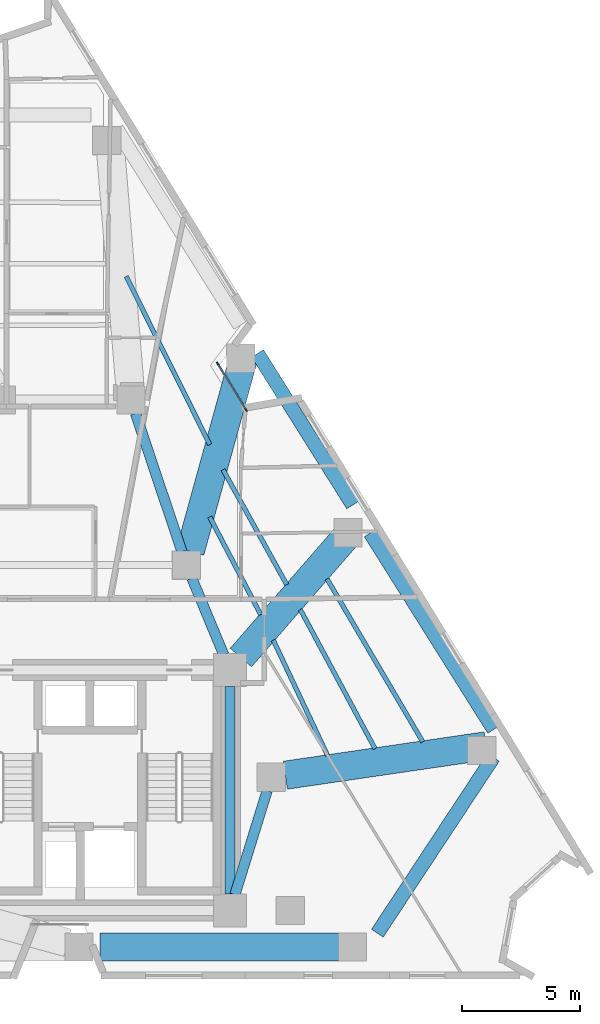
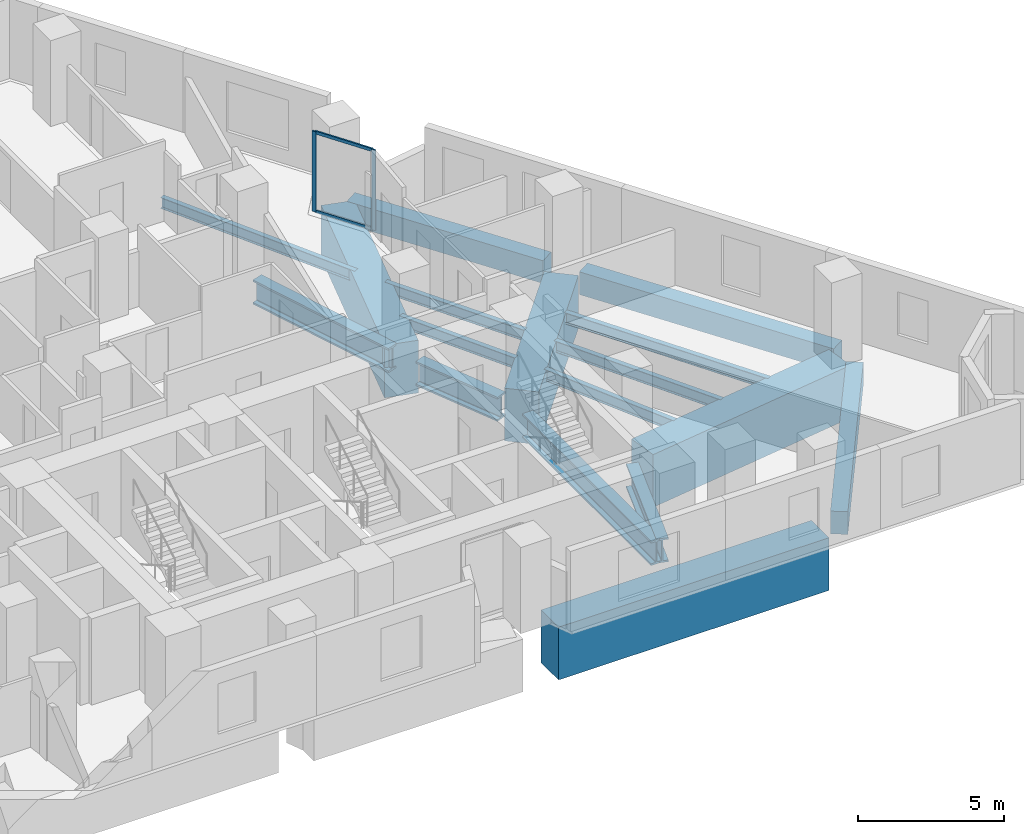
# One storey, part 4 of 13: 17 beams, 4 members, 1 element without a shape of its own.
"""IFC4 building model written with IfcOpenShell, lengths in metres."""

from ifc_helpers import new_model, si_unit, direction, frame, origin, origin_2d, place, context, subcontext, project, spatial, rectangle, i_section, extrude, material, layer, layer_set, material_profile, profile_set, type_object, element, aggregate, save


model = new_model("IFC4")

# Units and contexts
model_context = context("Model", 3, precision=1e-05, world=origin(), true_north=direction((0.0, 1.0)))
body_context = subcontext(model_context, "Body", "Model", "MODEL_VIEW")
ifc_project = project(units=[si_unit("LENGTHUNIT", "METRE"), si_unit("AREAUNIT", "SQUARE_METRE"), si_unit("VOLUMEUNIT", "CUBIC_METRE"), si_unit("PLANEANGLEUNIT", "RADIAN"), si_unit("MASSUNIT", "GRAM", prefix="KILO")], contexts=[model_context])

# Site, building, storey
site_placement = place(None, origin())
site = spatial("IfcSite", under=ifc_project, at=site_placement, CompositionType="ELEMENT")
building_placement = place(site_placement, origin())
building = spatial("IfcBuilding", under=site, at=building_placement, Name="Almagre Mirador Tower", CompositionType="ELEMENT")
storey_placement = place(building_placement, frame((0.0, 0.0, 75.0)))
storey = spatial("IfcBuildingStorey", under=building, at=storey_placement, Name="L18", CompositionType="ELEMENT", Elevation=75.0)

# Beams
ifc_material_1 = material(Name="Steel ASTM A992 Grade 50", Category="steel")
ifc_material_profile_1 = material_profile(ifc_material_1, i_section(OverallWidth=0.19091796875, OverallDepth=0.4599609375, WebThickness=0.010009765625, FlangeThickness=0.01611328125, FilletRadius=0.01611328125, at=origin_2d()), Name="W18X55")
ifc_profile_set_1 = profile_set([ifc_material_profile_1], Name="Steel ASTM A992 Grade 50")
beam_type_1 = type_object("IfcBeamType", Name="BM-JST-W18X55", PredefinedType="JOIST", material=ifc_profile_set_1)
beam_1_placement = place(storey_placement, frame((55.22412109375, 11.701171875, -0.47998046875), z_axis=(-0.506390211588, 0.86230444369, 0.0), x_axis=(-0.86230444369, -0.506390211588, 0.0)))
element("IfcBeam", 1, at=beam_1_placement, inside=storey, type_object=beam_type_1, Name="L18 secondary floor joist PC05-PC06.1", PredefinedType="JOIST", context=body_context, shape_type="SweptSolid", body=[
    extrude(i_section(OverallWidth=0.19091796875, OverallDepth=0.4599609375, WebThickness=0.010009765625, FlangeThickness=0.01611328125, FilletRadius=0.01611328125, at=origin_2d()), origin(), (0.0, 0.0, 1.0), 8.013427734375),
])
beam_2_placement = place(storey_placement, frame((53.19921875, 11.413330078125, -0.47998046875), z_axis=(-0.47315439366, 0.880979522895, 0.0), x_axis=(-0.880979522895, -0.47315439366, 0.0)))
element("IfcBeam", 2, at=beam_2_placement, inside=storey, type_object=beam_type_1, Name="L18 secondary floor joist PC05-PC06.2", PredefinedType="JOIST", context=body_context, shape_type="SweptSolid", body=[
    extrude(i_section(OverallWidth=0.19091796875, OverallDepth=0.4599609375, WebThickness=0.010009765625, FlangeThickness=0.01611328125, FilletRadius=0.01611328125, at=origin_2d()), origin(), (0.0, 0.0, 1.0), 6.70068359375),
])
beam_3_placement = place(storey_placement, frame((51.18310546875, 11.128662109375, -0.47998046875), z_axis=(-0.425670839844, 0.904878078034, 0.0), x_axis=(-0.904878078034, -0.425670839844, 0.0)))
element("IfcBeam", 3, at=beam_3_placement, inside=storey, type_object=beam_type_1, Name="L18 secondary floor joist PC05-PC06.3", PredefinedType="JOIST", context=body_context, shape_type="SweptSolid", body=[
    extrude(i_section(OverallWidth=0.19091796875, OverallDepth=0.4599609375, WebThickness=0.010009765625, FlangeThickness=0.01611328125, FilletRadius=0.01611328125, at=origin_2d()), origin(), (0.0, 0.0, 1.0), 5.40380859375),
])
beam_4_placement = place(storey_placement, frame((49.4541015625, 18.369873046875, -0.47998046875), z_axis=(-0.484638534016, 0.874714519913, 0.0), x_axis=(-0.874714519913, -0.484638534016, 0.0)))
element("IfcBeam", 4, at=beam_4_placement, inside=storey, type_object=beam_type_1, Name="L18 secondary floor joist PC06-PC07.2", PredefinedType="JOIST", context=body_context, shape_type="SweptSolid", body=[
    extrude(i_section(OverallWidth=0.19091796875, OverallDepth=0.4599609375, WebThickness=0.010009765625, FlangeThickness=0.01611328125, FilletRadius=0.01611328125, at=origin_2d()), origin(), (0.0, 0.0, 1.0), 5.573974609375),
])
beam_5_placement = place(storey_placement, frame((48.35009765625, 17.093505859375, -0.47998046875), z_axis=(-0.462159325874, 0.886796908828, 0.0), x_axis=(-0.886796908828, -0.462159325874, 0.0)))
element("IfcBeam", 5, at=beam_5_placement, inside=storey, type_object=beam_type_1, Name="L18 secondary floor joist PC06-PC07.3", PredefinedType="JOIST", context=body_context, shape_type="SweptSolid", body=[
    extrude(i_section(OverallWidth=0.19091796875, OverallDepth=0.4599609375, WebThickness=0.010009765625, FlangeThickness=0.01611328125, FilletRadius=0.01611328125, at=origin_2d()), origin(), (0.0, 0.0, 1.0), 4.67822265625),
])
beam_6_placement = place(storey_placement, frame((46.194580078125, 24.3076171875, -0.47998046875), z_axis=(-0.445435749345, 0.895313907635, 0.0), x_axis=(-0.895313907635, -0.445435749345, 0.0)))
element("IfcBeam", 6, at=beam_6_placement, inside=storey, type_object=beam_type_1, Name="L18 secondary floor joist PC07-PC08.2", PredefinedType="JOIST", context=body_context, shape_type="SweptSolid", body=[
    extrude(i_section(OverallWidth=0.19091796875, OverallDepth=0.4599609375, WebThickness=0.010009765625, FlangeThickness=0.01611328125, FilletRadius=0.01611328125, at=origin_2d()), origin(), (0.0, 0.0, 1.0), 7.96875),
])
ifc_material_2 = material(Name="Precast concrete C50/60", Category="concrete")
ifc_material_profile_2 = material_profile(ifc_material_2, rectangle(XDim=0.60009765625, YDim=0.949951171875, at=origin_2d()), Name="RC600X950")
ifc_profile_set_2 = profile_set([ifc_material_profile_2], Name="Precast concrete C50/60")
beam_type_2 = type_object("IfcBeamType", Name="BM-SPN-RC600X950", PredefinedType="SPANDREL", material=ifc_profile_set_2)
beam_7_placement = place(storey_placement, frame((53.29736328125, 3.58447265625, -0.72509765625), z_axis=(0.550560338686, 0.834795372211, 0.0), x_axis=(-0.834795372211, 0.550560338686, 0.0)))
element("IfcBeam", 7, at=beam_7_placement, inside=storey, type_object=beam_type_2, Name="L18 perimeter spandrel beam PC04-PC05", PredefinedType="SPANDREL", context=body_context, shape_type="SweptSolid", body=[
    extrude(rectangle(XDim=0.60009765625, YDim=0.949951171875, at=origin_2d()), origin(), (0.0, 0.0, 1.0), 8.9423828125),
])
beam_8_placement = place(storey_placement, frame((58.233642578125, 12.226806640625, -0.72509765625), z_axis=(-0.531919552243, 0.846794892487, 0.0), x_axis=(-0.846794892487, -0.531919552243, 0.0)))
element("IfcBeam", 8, at=beam_8_placement, inside=storey, type_object=beam_type_2, Name="L18 perimeter spandrel beam PC05-PC06", PredefinedType="SPANDREL", context=body_context, shape_type="SweptSolid", body=[
    extrude(rectangle(XDim=0.60009765625, YDim=0.949951171875, at=origin_2d()), origin(), (0.0, 0.0, 1.0), 9.84228515625),
])
beam_9_placement = place(storey_placement, frame((52.253662109375, 21.746826171875, -0.72509765625), z_axis=(-0.531919345601, 0.84679502229, 0.0), x_axis=(-0.84679502229, -0.531919345601, 0.0)))
element("IfcBeam", 9, at=beam_9_placement, inside=storey, type_object=beam_type_2, Name="L18 perimeter spandrel beam PC06-PC07", PredefinedType="SPANDREL", context=body_context, shape_type="SweptSolid", body=[
    extrude(rectangle(XDim=0.60009765625, YDim=0.949951171875, at=origin_2d()), origin(), (0.0, 0.0, 1.0), 7.59375),
])
ifc_material_3 = material(Name="Steel ASTM A992 Grade 50", Category="steel")
ifc_material_profile_3 = material_profile(ifc_material_3, i_section(OverallWidth=0.43701171875, OverallDepth=1.010986328125, WebThickness=0.041015625, FlangeThickness=0.073974609375, FilletRadius=0.028076171875, at=origin_2d()), Name="W36X529")
ifc_profile_set_3 = profile_set([ifc_material_profile_3], Name="Steel ASTM A992 Grade 50")
beam_type_3 = type_object("IfcBeamType", Name="BM-STL-W36X529", PredefinedType="BEAM", material=ifc_profile_set_3)
beam_10_placement = place(storey_placement, frame((47.050048828125, 5.25, -0.755615234375), z_axis=(0.0, 1.0, 0.0), x_axis=(-1.0, 0.0, 0.0)))
element("IfcBeam", 10, at=beam_10_placement, inside=storey, type_object=beam_type_3, Name="L18 core tie girder CC3-CC6", PredefinedType="BEAM", context=body_context, shape_type="SweptSolid", body=[
    extrude(i_section(OverallWidth=0.43701171875, OverallDepth=1.010986328125, WebThickness=0.041015625, FlangeThickness=0.073974609375, FilletRadius=0.028076171875, at=origin_2d()), origin(), (0.0, 0.0, 1.0), 8.800048828125),
])
beam_11_placement = place(storey_placement, frame((48.62255859375, 9.626953125, -0.755615234375), z_axis=(-0.295888328273, -0.955222538046, 0.0), x_axis=(0.955222538046, -0.295888328273, 0.0)))
element("IfcBeam", 11, at=beam_11_placement, inside=storey, type_object=beam_type_3, Name="L18 core tie girder MC3-CC3", PredefinedType="BEAM", context=body_context, shape_type="SweptSolid", body=[
    extrude(i_section(OverallWidth=0.43701171875, OverallDepth=1.010986328125, WebThickness=0.041015625, FlangeThickness=0.073974609375, FilletRadius=0.028076171875, at=origin_2d()), origin(), (0.0, 0.0, 1.0), 4.61474609375),
])
beam_12_placement = place(storey_placement, frame((45.430419921875, 18.64599609375, -0.755615234375), z_axis=(0.383856635851, -0.923392702545, 0.0), x_axis=(0.923392702545, 0.383856635851, 0.0)))
element("IfcBeam", 12, at=beam_12_placement, inside=storey, type_object=beam_type_3, Name="L18 core tie girder MC5-CC6", PredefinedType="BEAM", context=body_context, shape_type="SweptSolid", body=[
    extrude(i_section(OverallWidth=0.43701171875, OverallDepth=1.010986328125, WebThickness=0.041015625, FlangeThickness=0.073974609375, FilletRadius=0.028076171875, at=origin_2d()), origin(), (0.0, 0.0, 1.0), 3.51904296875),
])
beam_13_placement = place(storey_placement, frame((43.041015625, 25.631103515625, -0.755615234375), z_axis=(0.318252395552, -0.948006019351, 0.0), x_axis=(0.948006019351, 0.318252395552, 0.0)))
element("IfcBeam", 13, at=beam_13_placement, inside=storey, type_object=beam_type_3, Name="L18 core tie girder MC6-MC5", PredefinedType="BEAM", context=body_context, shape_type="SweptSolid", body=[
    extrude(i_section(OverallWidth=0.43701171875, OverallDepth=1.010986328125, WebThickness=0.041015625, FlangeThickness=0.073974609375, FilletRadius=0.028076171875, at=origin_2d()), origin(), (0.0, 0.0, 1.0), 6.183837890625),
])
ifc_material_4 = material(Name="Concrete C60/75", Category="concrete")
ifc_material_profile_4 = material_profile(ifc_material_4, rectangle(XDim=1.199951171875, YDim=2.199951171875, at=origin_2d()), Name="RC1200X2200")
ifc_profile_set_4 = profile_set([ifc_material_profile_4], Name="Concrete C60/75")
beam_type_4 = type_object("IfcBeamType", Name="BM-XFER-RC1200X2200", PredefinedType="BEAM", material=ifc_profile_set_4)
beam_14_placement = place(storey_placement, frame((41.531982421875, 3.0, -1.35009765625), z_axis=(1.0, 0.0, 0.0), x_axis=(0.0, 1.0, 0.0)))
element("IfcBeam", 14, at=beam_14_placement, inside=storey, type_object=beam_type_4, Name="L18 perimeter spandrel beam PC03-PC04", PredefinedType="BEAM", context=body_context, shape_type="SweptSolid", body=[
    extrude(rectangle(XDim=1.199951171875, YDim=2.199951171875, at=origin_2d()), origin(), (0.0, 0.0, 1.0), 10.679931640625),
])
beam_15_placement = place(storey_placement, frame((57.913330078125, 11.53271484375, -1.35009765625), z_axis=(-0.989476218812, -0.144695585299, 0.0), x_axis=(0.144695585299, -0.989476218812, 0.0)))
element("IfcBeam", 15, at=beam_15_placement, inside=storey, type_object=beam_type_4, Name="L18 radial transfer girder PC05-MC3", PredefinedType="BEAM", context=body_context, shape_type="SweptSolid", body=[
    extrude(rectangle(XDim=1.199951171875, YDim=2.199951171875, at=origin_2d()), origin(), (0.0, 0.0, 1.0), 8.610107421875),
])
beam_16_placement = place(storey_placement, frame((52.166259765625, 20.626220703125, -1.35009765625), z_axis=(-0.6566380112, -0.7542058885, 0.0), x_axis=(0.7542058885, -0.6566380112, 0.0)))
element("IfcBeam", 16, at=beam_16_placement, inside=storey, type_object=beam_type_4, Name="L18 radial transfer girder PC06-CC6", PredefinedType="BEAM", context=body_context, shape_type="SweptSolid", body=[
    extrude(rectangle(XDim=1.199951171875, YDim=2.199951171875, at=origin_2d()), origin(), (0.0, 0.0, 1.0), 7.09130859375),
])
beam_17_placement = place(storey_placement, frame((47.65576171875, 28.09521484375, -1.35009765625), z_axis=(-0.266125752787, -0.96393831945, 0.0), x_axis=(0.96393831945, -0.266125752787, 0.0)))
element("IfcBeam", 17, at=beam_17_placement, inside=storey, type_object=beam_type_4, Name="L18 radial transfer girder PC07-MC5", PredefinedType="BEAM", context=body_context, shape_type="SweptSolid", body=[
    extrude(rectangle(XDim=1.199951171875, YDim=2.199951171875, at=origin_2d()), origin(), (0.0, 0.0, 1.0), 8.6279296875),
])

# Curtain wall, members
ifc_material_5 = material(Name="Black anodized aluminium", Category="aluminium")
ifc_layer = layer(ifc_material_5, 0.169921875)
ifc_layer_set = layer_set([ifc_layer], Name="Black anodized aluminium")
curtain_wall_type = type_object("IfcCurtainWallType", Name="CW-CRS-SYS", PredefinedType="NOTDEFINED", material=ifc_layer_set)
curtain_wall_placement = place(storey_placement, origin())
curtain_wall = element("IfcCurtainWall", 18, at=curtain_wall_placement, inside=storey, type_object=curtain_wall_type, Name="L18 vertical crease curtain wall 03", PredefinedType="NOTDEFINED")
ifc_material_6 = material(Name="Black anodized aluminium", Category="aluminium")
ifc_material_profile_5 = material_profile(ifc_material_6, rectangle(XDim=0.06005859375, YDim=0.14990234375, at=origin_2d()), Name="CWM60X150")
ifc_profile_set_5 = profile_set([ifc_material_profile_5], Name="Black anodized aluminium")
member_type_1 = type_object("IfcMemberType", Name="MBR-CWM60X150", PredefinedType="MULLION", material=ifc_profile_set_5)
member_1_placement = place(storey_placement, frame((46.52734375, 27.745849609375, 0.0), z_axis=(0.0, 0.0, 1.0), x_axis=(0.852078136772, 0.523414605102, 0.0)))
member_1 = element("IfcMember", 19, at=member_1_placement, type_object=member_type_1, Name="CW-4 mullion 1", PredefinedType="MULLION", context=body_context, shape_type="SweptSolid", body=[
    extrude(rectangle(XDim=0.06005859375, YDim=0.14990234375, at=origin_2d()), origin(), (0.0, 0.0, 1.0), 3.35009765625),
])
member_2_placement = place(storey_placement, frame((47.736572265625, 25.77734375, 0.0), z_axis=(0.0, 0.0, 1.0), x_axis=(0.852078136772, 0.523414605102, 0.0)))
member_2 = element("IfcMember", 20, at=member_2_placement, type_object=member_type_1, Name="CW-4 mullion 2", PredefinedType="MULLION", context=body_context, shape_type="SweptSolid", body=[
    extrude(rectangle(XDim=0.06005859375, YDim=0.14990234375, at=origin_2d()), origin(), (0.0, 0.0, 1.0), 3.35009765625),
])
ifc_material_7 = material(Name="Black anodized aluminium", Category="aluminium")
ifc_material_profile_6 = material_profile(ifc_material_7, rectangle(XDim=0.06005859375, YDim=0.1298828125, at=origin_2d()), Name="CWT60X130")
ifc_profile_set_6 = profile_set([ifc_material_profile_6], Name="Black anodized aluminium")
member_type_2 = type_object("IfcMemberType", Name="MBR-CWT60X130", PredefinedType="USERDEFINED", material=ifc_profile_set_6)
member_3_placement = place(storey_placement, frame((46.543212890625, 27.72021484375, 0.030029296875), z_axis=(0.523370843284, -0.852105017237, 0.0), x_axis=(0.852105017237, 0.523370843284, 0.0)))
member_3 = element("IfcMember", 21, at=member_3_placement, type_object=member_type_2, Name="CW-4 transom 1.1", ObjectType="TRANSOM", PredefinedType="USERDEFINED", context=body_context, shape_type="SweptSolid", body=[
    extrude(rectangle(XDim=0.06005859375, YDim=0.1298828125, at=origin_2d()), origin(), (0.0, 0.0, 1.0), 2.250244140625),
])
member_4_placement = place(storey_placement, frame((46.543212890625, 27.72021484375, 3.320068359375), z_axis=(0.523370843284, -0.852105017237, 0.0), x_axis=(0.852105017237, 0.523370843284, 0.0)))
member_4 = element("IfcMember", 22, at=member_4_placement, type_object=member_type_2, Name="CW-4 transom 1.2", ObjectType="TRANSOM", PredefinedType="USERDEFINED", context=body_context, shape_type="SweptSolid", body=[
    extrude(rectangle(XDim=0.06005859375, YDim=0.1298828125, at=origin_2d()), origin(), (0.0, 0.0, 1.0), 2.250244140625),
])
aggregate(curtain_wall, [member_1, member_2, member_3, member_4])

save(model, "model.ifc")
